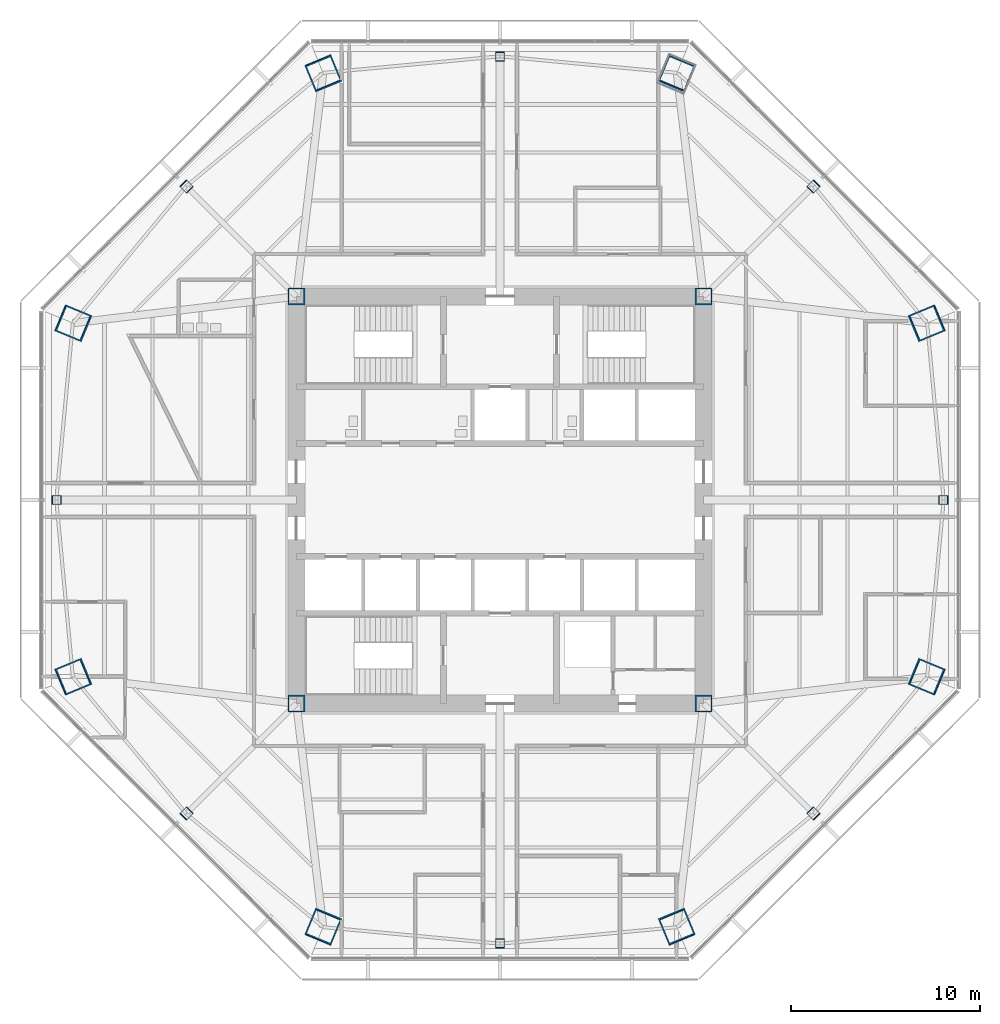
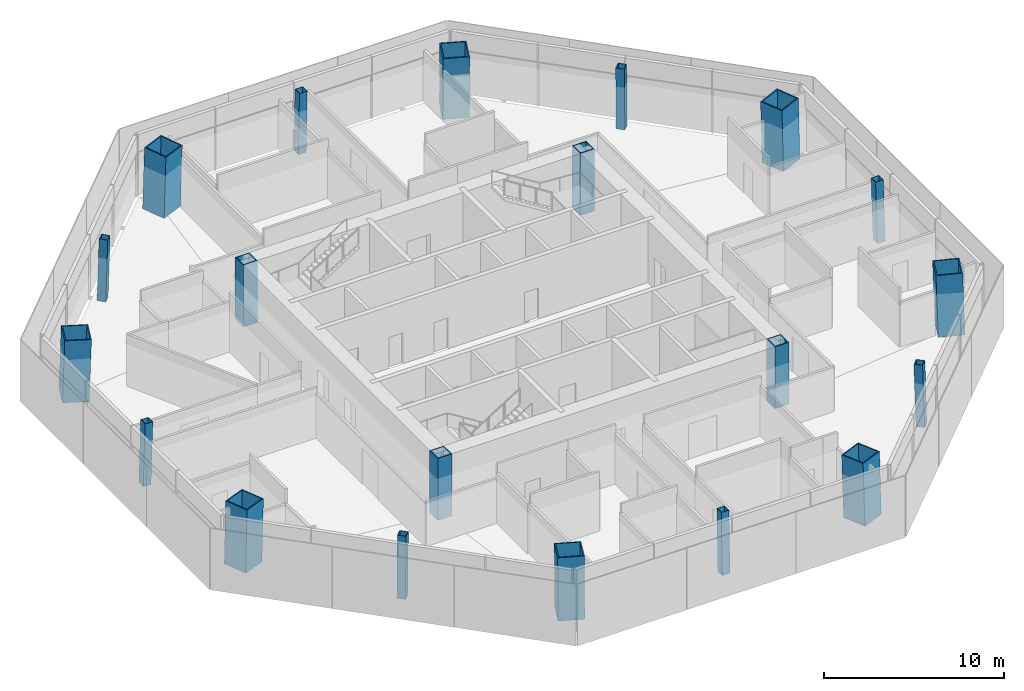
# One storey, part 1 of 14: 20 columns.
"""IFC4 building model written with IfcOpenShell, lengths in metres."""

from ifc_helpers import new_model, si_unit, direction, frame, origin, origin_2d, place, context, subcontext, project, spatial, hollow_rectangle, extrude, material, material_profile, profile_set, type_object, element, save


model = new_model("IFC4")

# Units and contexts
model_context = context("Model", 3, precision=1e-05, world=origin(), true_north=direction((0.0, 1.0)))
body_context = subcontext(model_context, "Body", "Model", "MODEL_VIEW")
ifc_project = project(units=[si_unit("LENGTHUNIT", "METRE"), si_unit("AREAUNIT", "SQUARE_METRE"), si_unit("VOLUMEUNIT", "CUBIC_METRE"), si_unit("PLANEANGLEUNIT", "RADIAN"), si_unit("MASSUNIT", "GRAM", prefix="KILO")], contexts=[model_context])

# Site, building, storey
site_placement = place(None, origin())
site = spatial("IfcSite", under=ifc_project, at=site_placement, CompositionType="ELEMENT")
building_placement = place(site_placement, origin())
building = spatial("IfcBuilding", under=site, at=building_placement, Name="Mashrafa Tower", CompositionType="ELEMENT")
storey_placement = place(building_placement, frame((0.0, 0.0, 130.199951171875)))
storey = spatial("IfcBuildingStorey", under=building, at=storey_placement, Name="L29", CompositionType="ELEMENT", Elevation=130.199951171875)

# Columns
ifc_material_1 = material(Name="Steel ASTM A572 Gr 50", Category="steel")
ifc_material_profile_1 = material_profile(ifc_material_1, hollow_rectangle(XDim=0.89990234375, YDim=0.89990234375, WallThickness=0.06005859375, at=origin_2d()), Name="BOX900X900X60")
ifc_profile_set_1 = profile_set([ifc_material_profile_1], Name="Steel ASTM A572 Gr 50")
column_type_1 = type_object("IfcColumnType", Name="Core corner column BOX900X900X60", PredefinedType="COLUMN", material=ifc_profile_set_1)
for number, where, z_axis, x_axis, name in (
    (1, (10.800048828125, 10.800048828125, 0.0), (0.0, 0.0, 1.0), (1.0, 0.0, 0.0), "Core corner column CC-NE L29"),
    (2, (-10.800048828125, 10.800048828125, 0.0), (0.0, 0.0, 1.0), (1.0, 0.0, 0.0), "Core corner column CC-NW L29"),
    (3, (-10.800048828125, -10.800048828125, 0.0), (0.0, 0.0, 1.0), (1.0, 0.0, 0.0), "Core corner column CC-SW L29"),
    (4, (10.800048828125, -10.800048828125, 0.0), (0.0, 0.0, 1.0), (1.0, 0.0, 0.0), "Core corner column CC-SE L29"),
):
    element("IfcColumn", number, at=place(storey_placement, frame(where, z_axis=z_axis, x_axis=x_axis)), inside=storey, type_object=column_type_1, Name=name, PredefinedType="COLUMN", context=body_context, shape_type="SweptSolid", body=[
        extrude(hollow_rectangle(XDim=0.89990234375, YDim=0.89990234375, WallThickness=0.06005859375, at=origin_2d()), origin(), (0.0, 0.0, 1.0), 4.199951171875),
    ])
ifc_material_2 = material(Name="Steel ASTM A572 Gr 50", Category="steel")
ifc_material_profile_2 = material_profile(ifc_material_2, hollow_rectangle(XDim=1.5, YDim=1.5, WallThickness=0.070068359375, at=origin_2d()), Name="BOX1500X1500X70")
ifc_profile_set_2 = profile_set([ifc_material_profile_2], Name="Steel ASTM A572 Gr 50")
column_type_2 = type_object("IfcColumnType", Name="Mega column CFST BOX1500X1500X70", PredefinedType="COLUMN", material=ifc_profile_set_2)
for number, where, z_axis, x_axis, name in (
    (5, (22.6533203125, 9.38330078125, 0.0), (-0.028295730207, -0.011736627314, 0.99953069149), (0.383133442967, -0.923693003589, 0.0), "Mega column MC1 L29"),
    (6, (9.38330078125, 22.6533203125, 0.0), (-0.011736627314, -0.028295730207, 0.99953069149), (0.923693003589, -0.383133442967, 0.0), "Mega column MC2 L29"),
    (7, (-9.38330078125, 22.6533203125, 0.0), (0.011736627314, -0.028295730207, 0.99953069149), (0.923693003589, 0.383133442967, 0.0), "Mega column MC3 L29"),
    (8, (-22.6533203125, 9.38330078125, 0.0), (0.028295730207, -0.011736627314, 0.99953069149), (0.383133442967, 0.923693003589, 0.0), "Mega column MC4 L29"),
    (9, (-22.6533203125, -9.38330078125, 0.0), (0.028295730207, 0.011736627314, 0.99953069149), (-0.383133442967, 0.923693003589, 0.0), "Mega column MC5 L29"),
    (10, (-9.38330078125, -22.6533203125, 0.0), (0.011736627314, 0.028295730207, 0.99953069149), (-0.923693003589, 0.383133442967, 0.0), "Mega column MC6 L29"),
    (11, (9.38330078125, -22.6533203125, 0.0), (-0.011736627314, 0.028295730207, 0.99953069149), (-0.923693003589, -0.383133442967, 0.0), "Mega column MC7 L29"),
    (12, (22.6533203125, -9.38330078125, 0.0), (-0.028295730207, 0.011736627314, 0.99953069149), (-0.383133442967, -0.923693003589, 0.0), "Mega column MC8 L29"),
):
    element("IfcColumn", number, at=place(storey_placement, frame(where, z_axis=z_axis, x_axis=x_axis)), inside=storey, type_object=column_type_2, Name=name, PredefinedType="COLUMN", context=body_context, shape_type="SweptSolid", body=[
        extrude(hollow_rectangle(XDim=1.5, YDim=1.5, WallThickness=0.070068359375, at=origin_2d()), origin(), (0.0, 0.0, 1.0), 4.201904296875),
    ])
ifc_material_3 = material(Name="Steel ASTM A572 Gr 50", Category="steel")
ifc_material_profile_3 = material_profile(ifc_material_3, hollow_rectangle(XDim=0.5, YDim=0.5, WallThickness=0.02490234375, at=origin_2d()), Name="BOX500X500X25")
ifc_profile_set_3 = profile_set([ifc_material_profile_3], Name="Steel ASTM A572 Gr 50")
column_type_3 = type_object("IfcColumnType", Name="Secondary column BOX500X500X25", PredefinedType="COLUMN", material=ifc_profile_set_3)
for number, where, z_axis, x_axis, name in (
    (13, (23.531494140625, 0.0, 0.0), (-0.028239619523, 0.0, 0.999601182417), (0.0, -1.0, 0.0), "Secondary column SC1 L29"),
    (14, (16.639404296875, 16.639404296875, 0.0), (-0.019988521213, -0.019988521213, 0.999600379171), (0.707106781187, -0.707106781187, 0.0), "Secondary column SC2 L29"),
    (15, (0.0, 23.531494140625, 0.0), (0.0, -0.028239619523, 0.999601182417), (1.0, 0.0, 0.0), "Secondary column SC3 L29"),
    (16, (-16.639404296875, 16.639404296875, 0.0), (0.019988521213, -0.019988521213, 0.999600379171), (0.707106781187, 0.707106781187, 0.0), "Secondary column SC4 L29"),
    (17, (-23.531494140625, 0.0, 0.0), (0.028239619523, 0.0, 0.999601182417), (0.0, 1.0, 0.0), "Secondary column SC5 L29"),
    (18, (-16.639404296875, -16.639404296875, 0.0), (0.019988521213, 0.019988521213, 0.999600379171), (-0.707106781187, 0.707106781187, 0.0), "Secondary column SC6 L29"),
    (19, (0.0, -23.531494140625, 0.0), (0.0, 0.028239619523, 0.999601182417), (-1.0, 0.0, 0.0), "Secondary column SC7 L29"),
    (20, (16.639404296875, -16.639404296875, 0.0), (-0.019988521213, 0.019988521213, 0.999600379171), (-0.707106781187, -0.707106781187, 0.0), "Secondary column SC8 L29"),
):
    element("IfcColumn", number, at=place(storey_placement, frame(where, z_axis=z_axis, x_axis=x_axis)), inside=storey, type_object=column_type_3, Name=name, PredefinedType="COLUMN", context=body_context, shape_type="SweptSolid", body=[
        extrude(hollow_rectangle(XDim=0.5, YDim=0.5, WallThickness=0.02490234375, at=origin_2d()), origin(), (0.0, 0.0, 1.0), 4.20166015625),
    ])

save(model, "model.ifc")
